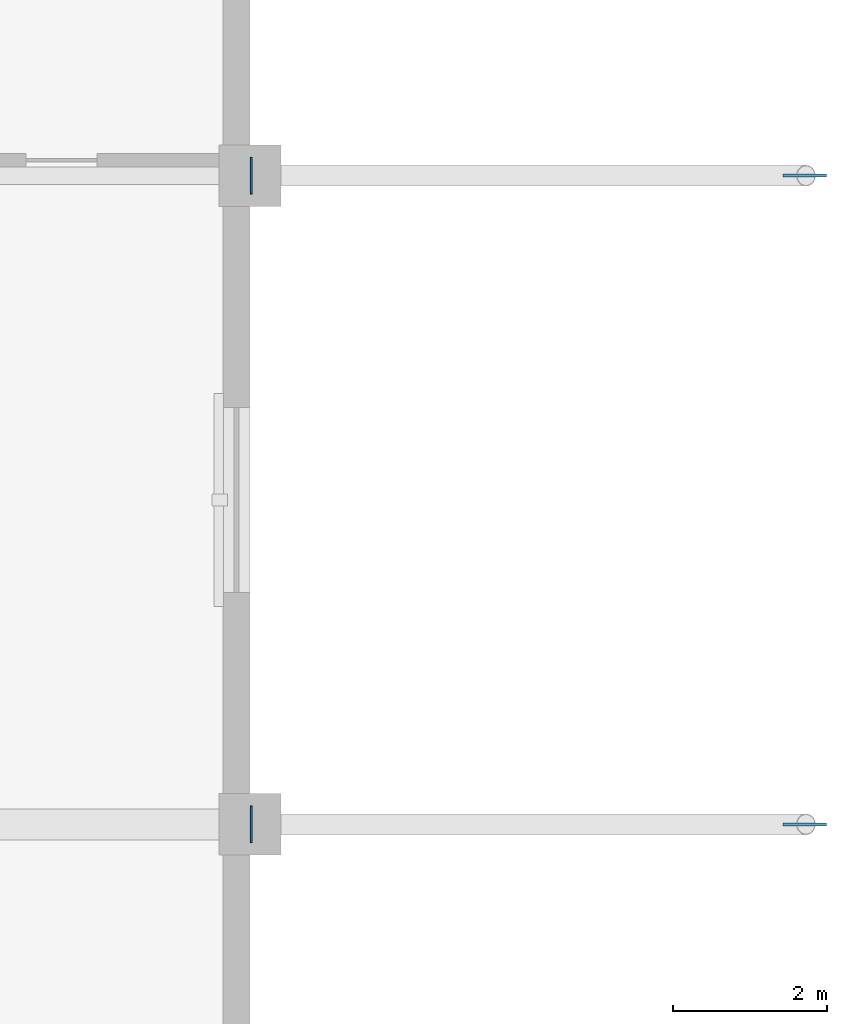
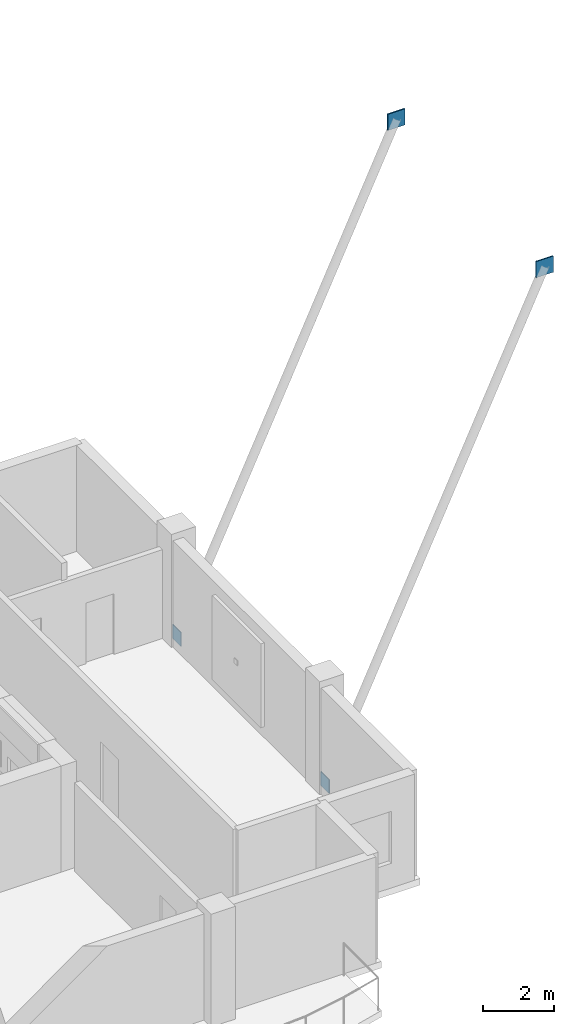
# One storey, part 6 of 17: 4 plates.
"""IFC4 building model written with IfcOpenShell, lengths in metres."""

from ifc_helpers import new_model, si_unit, direction, frame, origin, origin_2d, place, context, subcontext, project, spatial, rectangle, extrude, material, layer, layer_set, type_object, element, save


model = new_model("IFC4")

# Units and contexts
model_context = context("Model", 3, precision=1e-05, world=origin(), true_north=direction((0.0, 1.0)))
body_context = subcontext(model_context, "Body", "Model", "MODEL_VIEW")
ifc_project = project(units=[si_unit("LENGTHUNIT", "METRE"), si_unit("AREAUNIT", "SQUARE_METRE"), si_unit("VOLUMEUNIT", "CUBIC_METRE"), si_unit("PLANEANGLEUNIT", "RADIAN"), si_unit("MASSUNIT", "GRAM", prefix="KILO")], contexts=[model_context])

# Site, building, storey
site_placement = place(None, origin())
site = spatial("IfcSite", under=ifc_project, at=site_placement, CompositionType="ELEMENT")
building_placement = place(site_placement, origin())
building = spatial("IfcBuilding", under=site, at=building_placement, Name="Koriwani Terraces Tower", CompositionType="ELEMENT")
storey_placement = place(building_placement, frame((0.0, 0.0, 347.60009765625)))
storey = spatial("IfcBuildingStorey", under=building, at=storey_placement, Name="L86", CompositionType="ELEMENT", Elevation=347.60009765625)

# Plates
ifc_material = material(Name="Steel ASTM A572 Grade 50", Category="steel")
ifc_layer_1 = layer(ifc_material, 0.02490234375, Name="Steel ASTM A572 Grade 50")
ifc_layer_set_1 = layer_set([ifc_layer_1], Name="Steel ASTM A572 Grade 50")
plate_type_1 = type_object("IfcPlateType", Name="STEEL_CAP_PLATE_25", PredefinedType="USERDEFINED", material=ifc_layer_set_1)
for number, where, z_axis, x_axis, name in (
    (1, (67.216796875, 16.800048828125, -0.203857421875), (0.0, 0.0, 1.0), (1.0, 0.0, 0.0), "Brace End Cap Plate SKYC-RK-1"),
    (2, (67.216796875, 25.199951171875, -0.203857421875), (0.0, 0.0, 1.0), (1.0, 0.0, 0.0), "Brace End Cap Plate SKYC-RK-2"),
):
    element("IfcPlate", number, at=place(storey_placement, frame(where, z_axis=z_axis, x_axis=x_axis)), inside=storey, type_object=plate_type_1, Name=name, ObjectType="FLANGE_PLATE", PredefinedType="USERDEFINED", context=body_context, shape_type="SweptSolid", body=[
        extrude(rectangle(XDim=0.02490234375, YDim=0.47998046875, at=origin_2d()), origin(), (0.0, 0.0, 1.0), 0.47998046875),
    ])
ifc_layer_2 = layer(ifc_material, 0.0400390625, Name="Steel ASTM A572 Grade 50")
ifc_layer_set_2 = layer_set([ifc_layer_2], Name="Steel ASTM A572 Grade 50")
plate_type_2 = type_object("IfcPlateType", Name="STEEL_GUSSET_PLATE_40", PredefinedType="USERDEFINED", material=ifc_layer_set_2)
for number, where, z_axis, x_axis, name in (
    (3, (74.383056640625, 16.800048828125, 15.083740234375), (0.0, 0.0, 1.0), (1.0, 0.0, 0.0), "Brace Node Gusset Plate SKYC-RK-1"),
    (4, (74.383056640625, 25.199951171875, 15.083740234375), (0.0, 0.0, 1.0), (1.0, 0.0, 0.0), "Brace Node Gusset Plate SKYC-RK-2"),
):
    element("IfcPlate", number, at=place(storey_placement, frame(where, z_axis=z_axis, x_axis=x_axis)), inside=storey, type_object=plate_type_2, Name=name, ObjectType="GUSSET_PLATE", PredefinedType="USERDEFINED", context=body_context, shape_type="SweptSolid", body=[
        extrude(rectangle(XDim=0.56005859375, YDim=0.0400390625, at=origin_2d()), origin(), (0.0, 0.0, 1.0), 0.56005859375),
    ])

save(model, "model.ifc")
